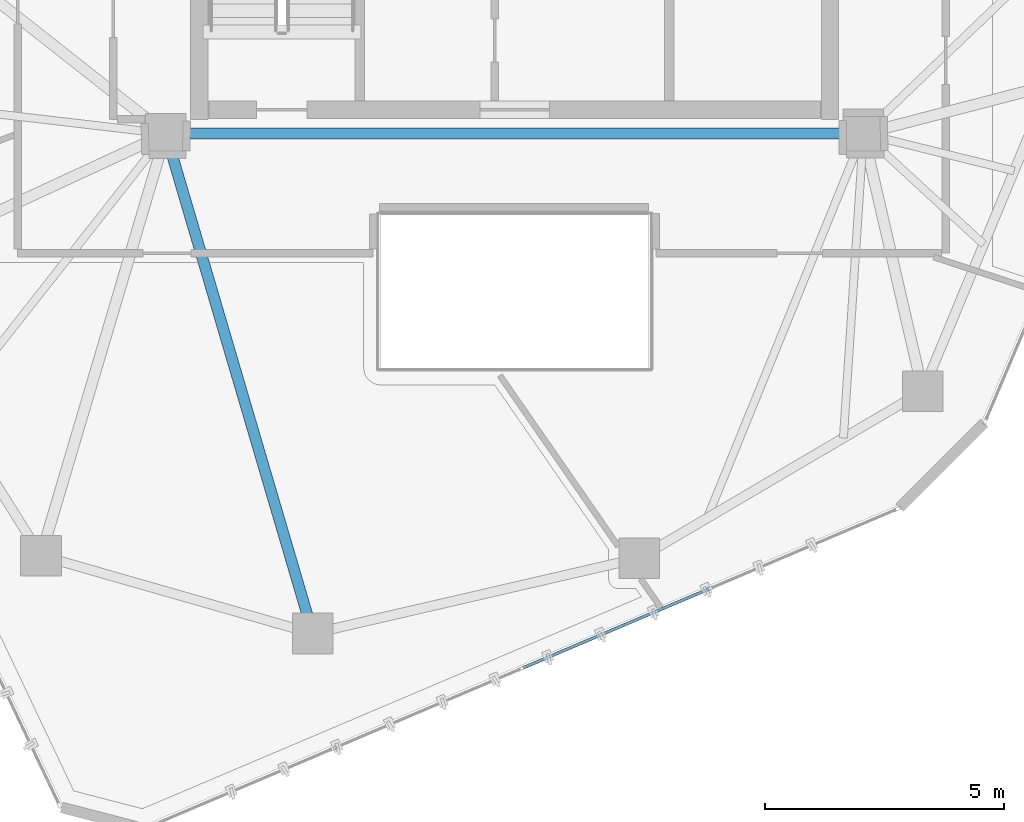
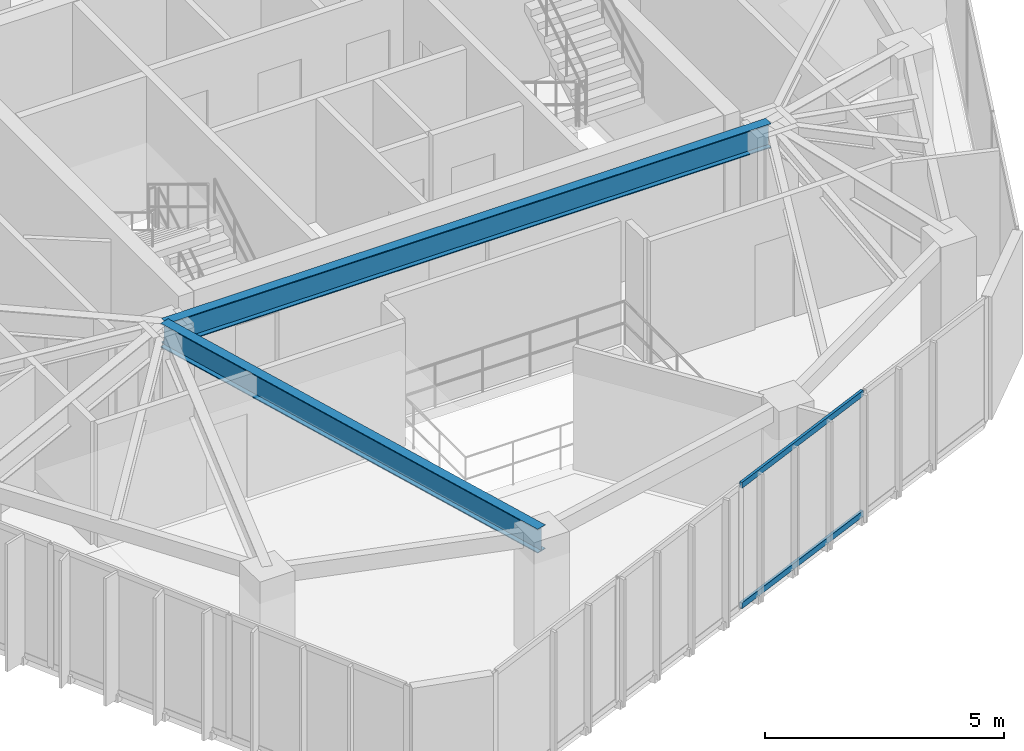
# One storey, part 5 of 20: 2 beams, 2 members, 1 element without a shape of its own.
"""IFC4 building model written with IfcOpenShell, lengths in metres."""

from ifc_helpers import new_model, si_unit, direction, frame, origin, origin_2d, place, context, subcontext, project, spatial, hollow_rectangle, i_section, extrude, source, transform, mapped, material, layer, layer_set, material_profile, profile_set, type_object, type_shapes, element, aggregate, save


model = new_model("IFC4")

# Units and contexts
model_context = context("Model", 3, precision=1e-05, world=origin(), true_north=direction((0.0, 1.0)))
body_context = subcontext(model_context, "Body", "Model", "MODEL_VIEW")
ifc_project = project(units=[si_unit("LENGTHUNIT", "METRE"), si_unit("AREAUNIT", "SQUARE_METRE"), si_unit("VOLUMEUNIT", "CUBIC_METRE"), si_unit("PLANEANGLEUNIT", "RADIAN"), si_unit("MASSUNIT", "GRAM", prefix="KILO")], contexts=[model_context])

# Site, building, storey
site_placement = place(None, origin())
site = spatial("IfcSite", under=ifc_project, at=site_placement, CompositionType="ELEMENT")
building_placement = place(site_placement, origin())
building = spatial("IfcBuilding", under=site, at=building_placement, Name="Talar Marvaseh", CompositionType="ELEMENT")
storey_placement = place(building_placement, frame((0.0, 0.0, 274.800048828125)))
storey = spatial("IfcBuildingStorey", under=building, at=storey_placement, Name="L73", CompositionType="ELEMENT", Elevation=274.800048828125)

# Beams
ifc_material_1 = material(Name="Steel S355", Category="steel")
ifc_material_profile_1 = material_profile(ifc_material_1, i_section(OverallWidth=0.22998046875, OverallDepth=0.616943359375, WebThickness=0.01318359375, FlangeThickness=0.022216796875, at=origin_2d()), Name="W610x140")
ifc_profile_set_1 = profile_set([ifc_material_profile_1], Name="Steel S355")
beam_type = type_object("IfcBeamType", Name="Zone 4 Radial Floor Girder W610x140", PredefinedType="BEAM", material=ifc_profile_set_1)
beam_1_placement = place(storey_placement, frame((18.699951171875, 25.5, 2.83154296875), z_axis=(1.0, 0.0, 0.0), x_axis=(0.0, 1.0, 0.0)))
element("IfcBeam", 1, at=beam_1_placement, inside=storey, type_object=beam_type, Name="L73 Zone 4 Radial Floor Girder W610x140", PredefinedType="BEAM", context=body_context, shape_type="SweptSolid", body=[
    extrude(i_section(OverallWidth=0.22998046875, OverallDepth=0.616943359375, WebThickness=0.01318359375, FlangeThickness=0.022216796875, at=origin_2d()), origin(), (0.0, 0.0, 1.0), 14.60009765625),
])
beam_2_placement = place(storey_placement, frame((21.77587890625, 15.0400390625, 2.83154296875), z_axis=(-0.28212146763, 0.959378693479, 0.0), x_axis=(-0.959378693479, -0.28212146763, 0.0)))
element("IfcBeam", 2, at=beam_2_placement, inside=storey, type_object=beam_type, Name="L73 Zone 4 Radial Floor Girder W610x140", PredefinedType="BEAM", context=body_context, shape_type="SweptSolid", body=[
    extrude(i_section(OverallWidth=0.22998046875, OverallDepth=0.616943359375, WebThickness=0.01318359375, FlangeThickness=0.022216796875, at=origin_2d()), origin(), (0.0, 0.0, 1.0), 10.90283203125),
])

# Curtain wall, members
ifc_material_2 = material(Name="Architectural Aluminium", Category="aluminium")
ifc_layer = layer(ifc_material_2, 0.179931640625)
ifc_layer_set = layer_set([ifc_layer], Name="Architectural Aluminium")
curtain_wall_type = type_object("IfcCurtainWallType", Name="Unitised High-Wind Sky Curtain Wall Z4", PredefinedType="NOTDEFINED", material=ifc_layer_set)
curtain_wall_placement = place(storey_placement, origin())
curtain_wall = element("IfcCurtainWall", 3, at=curtain_wall_placement, inside=storey, type_object=curtain_wall_type, Name="L73 Unitised High-Wind Sky Curtain Wall Z4", PredefinedType="NOTDEFINED")
ifc_material_profile_2 = material_profile(ifc_material_2, hollow_rectangle(XDim=0.06494140625, YDim=0.14990234375, WallThickness=0.00390625, at=origin_2d()), Name="RHS150x65x4")
ifc_profile_set_2 = profile_set([ifc_material_profile_2], Name="Architectural Aluminium")
member_type = type_object("IfcMemberType", Name="Unitised Curtain Wall Slim Transom RHS150x65x4", PredefinedType="USERDEFINED", material=ifc_profile_set_2)
shared_shape = source(origin(), body_context, "Body", "SweptSolid", [
    extrude(hollow_rectangle(XDim=0.06494140625, YDim=0.14990234375, WallThickness=0.00390625, at=origin_2d()), origin(), (0.0, 0.0, 1.0), 4.221435546875),
])
type_shapes(member_type, [shared_shape])
member_1_placement = place(storey_placement, frame((30.06396484375, 15.9716796875, 0.032470703125), z_axis=(-0.920432380646, -0.390901819717, 0.0), x_axis=(0.390901819717, -0.920432380646, 0.0)))
member_1 = element("IfcMember", 4, at=member_1_placement, type_object=member_type, Name="CW-Z4 transom 2.1", ObjectType="TRANSOM", PredefinedType="USERDEFINED", context=body_context, shape_type="MappedRepresentation", body=[
    mapped(shared_shape, transform((0.0, 0.0, 0.0), x_axis=(1.0, 0.0, 0.0), y_axis=(0.0, 1.0, 0.0), z_axis=(0.0, 0.0, 1.0), scale=1.0)),
])
member_2_placement = place(storey_placement, frame((30.06396484375, 15.9716796875, 3.107421875), z_axis=(-0.920432380646, -0.390901819717, 0.0), x_axis=(0.390901819717, -0.920432380646, 0.0)))
member_2 = element("IfcMember", 5, at=member_2_placement, type_object=member_type, Name="CW-Z4 transom 2.2", ObjectType="TRANSOM", PredefinedType="USERDEFINED", context=body_context, shape_type="MappedRepresentation", body=[
    mapped(shared_shape, transform((0.0, 0.0, 0.0), x_axis=(1.0, 0.0, 0.0), y_axis=(0.0, 1.0, 0.0), z_axis=(0.0, 0.0, 1.0), scale=1.0)),
])
aggregate(curtain_wall, [member_1, member_2])

save(model, "model.ifc")
